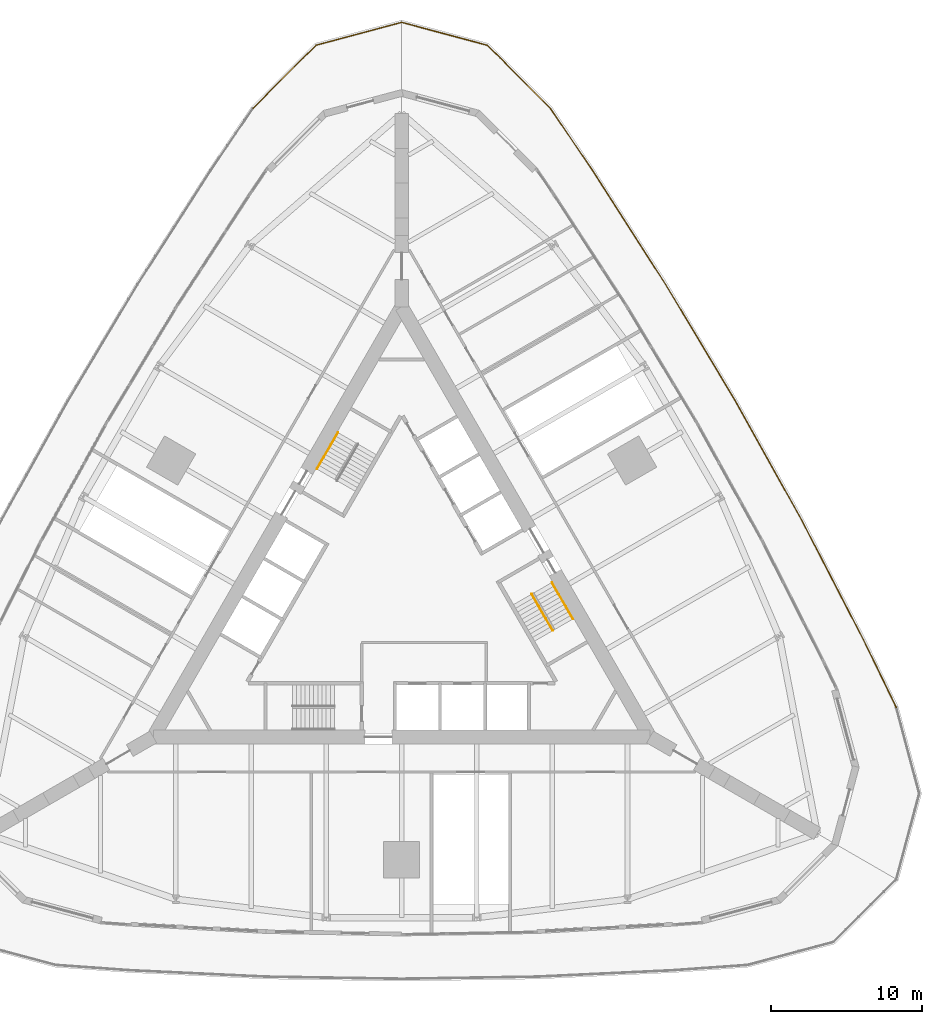
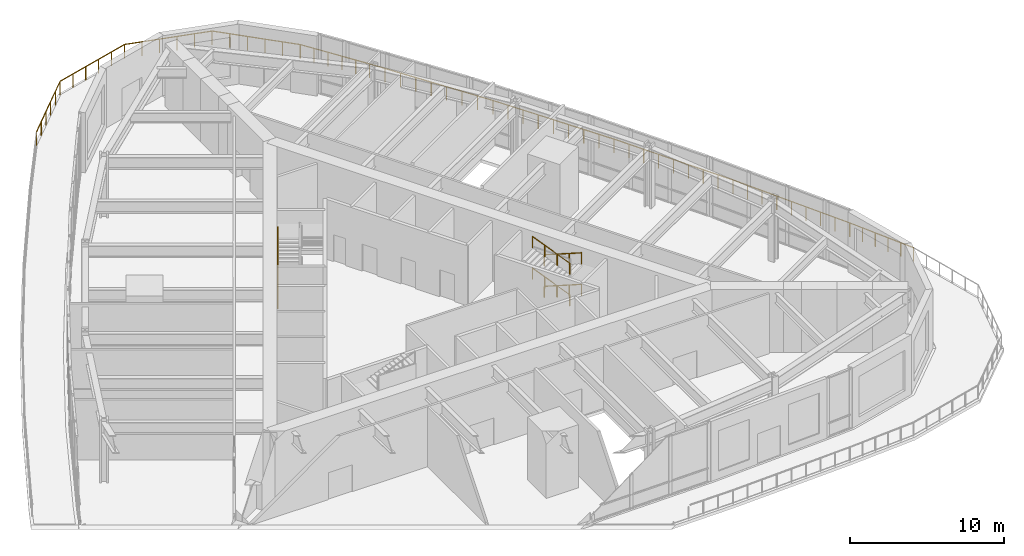
# One storey, part 13 of 13: 7 railings.
"""IFC4 building model written with IfcOpenShell, lengths in metres."""

from ifc_helpers import new_model, si_unit, direction, frame, origin, origin_2d, place, context, subcontext, project, spatial, circle, extrude, material, type_object, element, save


model = new_model("IFC4")

# Units and contexts
model_context = context("Model", 3, precision=1e-05, world=origin(), true_north=direction((0.0, 1.0)))
body_context = subcontext(model_context, "Body", "Model", "MODEL_VIEW")
ifc_project = project(units=[si_unit("LENGTHUNIT", "METRE"), si_unit("AREAUNIT", "SQUARE_METRE"), si_unit("VOLUMEUNIT", "CUBIC_METRE"), si_unit("PLANEANGLEUNIT", "RADIAN"), si_unit("MASSUNIT", "GRAM", prefix="KILO")], contexts=[model_context])

# Site, building, storey
site_placement = place(None, origin())
site = spatial("IfcSite", under=ifc_project, at=site_placement, CompositionType="ELEMENT")
building_placement = place(site_placement, origin())
building = spatial("IfcBuilding", under=site, at=building_placement, Name="Trikona Tower", CompositionType="ELEMENT")
storey_placement = place(building_placement, frame((0.0, 0.0, 17.5)))
storey = spatial("IfcBuildingStorey", under=building, at=storey_placement, Name="L03", CompositionType="ELEMENT", Elevation=17.5)

# Railings
ifc_material_1 = material(Name="Stainless steel handrail", Category="steel")
railing_type_1 = type_object("IfcRailingType", Name="Stair handrail", PredefinedType="HANDRAIL", material=ifc_material_1)
railing_1_placement = place(storey_placement, frame((9.9833984375, 0.740966796875, 0.113525390625)))
element("IfcRailing", 1, at=railing_1_placement, inside=storey, type_object=railing_type_1, Name="Stair handrail B L03 1", PredefinedType="HANDRAIL", context=body_context, shape_type="SweptSolid", body=[
    extrude(circle(Radius=0.02392578125, at=origin_2d()), frame((0.0, 0.0, 0.8759765625), z_axis=(0.463245186179, -0.802478973547, 0.376073655679), x_axis=(0.866056369097, 0.49994636267, 0.0)), (0.0, 0.0, 1.0), 3.02197265625),
    extrude(circle(Radius=0.02099609375, at=origin_2d()), origin(), (0.0, 0.0, 1.0), 0.851806640625),
    extrude(circle(Radius=0.02099609375, at=origin_2d()), frame((0.466552734375, -0.808349609375, 0.37890625)), (0.0, 0.0, 1.0), 0.851806640625),
    extrude(circle(Radius=0.02099609375, at=origin_2d()), frame((0.933349609375, -1.61669921875, 0.757568359375)), (0.0, 0.0, 1.0), 0.851806640625),
    extrude(circle(Radius=0.02099609375, at=origin_2d()), frame((1.39990234375, -2.425048828125, 1.136474609375)), (0.0, 0.0, 1.0), 0.851806640625),
])
railing_2_placement = place(storey_placement, frame((10.041015625, -2.458984375, 1.363525390625)))
element("IfcRailing", 2, at=railing_2_placement, inside=storey, type_object=railing_type_1, Name="Stair handrail B L03 2", PredefinedType="HANDRAIL", context=body_context, shape_type="SweptSolid", body=[
    extrude(circle(Radius=0.02392578125, at=origin_2d()), frame((0.0, 0.0, 0.8759765625), z_axis=(-0.463245186179, 0.802478973547, 0.376073655679), x_axis=(-0.866056369097, -0.49994636267, 0.0)), (0.0, 0.0, 1.0), 3.02197265625),
    extrude(circle(Radius=0.02099609375, at=origin_2d()), origin(), (0.0, 0.0, 1.0), 0.851806640625),
    extrude(circle(Radius=0.02099609375, at=origin_2d()), frame((-0.466552734375, 0.808349609375, 0.37890625)), (0.0, 0.0, 1.0), 0.851806640625),
    extrude(circle(Radius=0.02099609375, at=origin_2d()), frame((-0.933349609375, 1.61669921875, 0.757568359375)), (0.0, 0.0, 1.0), 0.851806640625),
    extrude(circle(Radius=0.02099609375, at=origin_2d()), frame((-1.39990234375, 2.425048828125, 1.136474609375)), (0.0, 0.0, 1.0), 0.851806640625),
])
railing_3_placement = place(storey_placement, frame((9.9833984375, 0.740966796875, 2.613525390625)))
element("IfcRailing", 3, at=railing_3_placement, inside=storey, type_object=railing_type_1, Name="Stair handrail B L03 3", PredefinedType="HANDRAIL", context=body_context, shape_type="SweptSolid", body=[
    extrude(circle(Radius=0.02392578125, at=origin_2d()), frame((0.0, 0.0, 0.8759765625), z_axis=(0.463245186179, -0.802478973547, 0.376073655679), x_axis=(0.866056369097, 0.49994636267, 0.0)), (0.0, 0.0, 1.0), 3.02197265625),
    extrude(circle(Radius=0.02099609375, at=origin_2d()), origin(), (0.0, 0.0, 1.0), 0.851806640625),
    extrude(circle(Radius=0.02099609375, at=origin_2d()), frame((0.466552734375, -0.808349609375, 0.37890625)), (0.0, 0.0, 1.0), 0.851806640625),
    extrude(circle(Radius=0.02099609375, at=origin_2d()), frame((0.933349609375, -1.61669921875, 0.757568359375)), (0.0, 0.0, 1.0), 0.851806640625),
    extrude(circle(Radius=0.02099609375, at=origin_2d()), frame((1.39990234375, -2.425048828125, 1.136474609375)), (0.0, 0.0, 1.0), 0.851806640625),
])
railing_4_placement = place(storey_placement, frame((10.041015625, -2.458984375, 3.863525390625)))
element("IfcRailing", 4, at=railing_4_placement, inside=storey, type_object=railing_type_1, Name="Stair handrail B L03 4", PredefinedType="HANDRAIL", context=body_context, shape_type="SweptSolid", body=[
    extrude(circle(Radius=0.02392578125, at=origin_2d()), frame((0.0, 0.0, 0.8759765625), z_axis=(-0.463245186179, 0.802478973547, 0.376073655679), x_axis=(-0.866056369097, -0.49994636267, 0.0)), (0.0, 0.0, 1.0), 3.02197265625),
    extrude(circle(Radius=0.02099609375, at=origin_2d()), origin(), (0.0, 0.0, 1.0), 0.851806640625),
    extrude(circle(Radius=0.02099609375, at=origin_2d()), frame((-0.466552734375, 0.808349609375, 0.37890625)), (0.0, 0.0, 1.0), 0.851806640625),
    extrude(circle(Radius=0.02099609375, at=origin_2d()), frame((-0.933349609375, 1.61669921875, 0.757568359375)), (0.0, 0.0, 1.0), 0.851806640625),
    extrude(circle(Radius=0.02099609375, at=origin_2d()), frame((-1.39990234375, 2.425048828125, 1.136474609375)), (0.0, 0.0, 1.0), 0.851806640625),
])
for number, where, name in (
    (5, (-5.63330078125, 8.275390625, 0.113525390625), "Stair handrail C L03 1"),
    (6, (-5.63330078125, 8.275390625, 2.613525390625), "Stair handrail C L03 3"),
):
    element("IfcRailing", number, at=place(storey_placement, frame(where)), inside=storey, type_object=railing_type_1, Name=name, PredefinedType="HANDRAIL", context=body_context, shape_type="SweptSolid", body=[
        extrude(circle(Radius=0.02392578125, at=origin_2d()), frame((0.0, 0.0, 0.8759765625), z_axis=(0.463275220525, 0.802450207579, 0.376098038288), x_axis=(-0.866034573852, 0.49998411664, 0.0)), (0.0, 0.0, 1.0), 3.021728515625),
        extrude(circle(Radius=0.02099609375, at=origin_2d()), origin(), (0.0, 0.0, 1.0), 0.851806640625),
        extrude(circle(Radius=0.02099609375, at=origin_2d()), frame((0.466552734375, 0.808349609375, 0.37890625)), (0.0, 0.0, 1.0), 0.851806640625),
        extrude(circle(Radius=0.02099609375, at=origin_2d()), frame((0.933349609375, 1.616455078125, 0.757568359375)), (0.0, 0.0, 1.0), 0.851806640625),
        extrude(circle(Radius=0.02099609375, at=origin_2d()), frame((1.39990234375, 2.4248046875, 1.136474609375)), (0.0, 0.0, 1.0), 0.851806640625),
    ])
ifc_material_2 = material(Name="Stainless steel guard with glass infill", Category="steel")
railing_type_2 = type_object("IfcRailingType", Name="Terrace guard 1100", PredefinedType="GUARDRAIL", material=ifc_material_2)
railing_5_placement = place(storey_placement, frame((-9.8837890625, 32.235595703125, 0.0)))
element("IfcRailing", 7, at=railing_5_placement, inside=storey, type_object=railing_type_2, Name="Terrace guard L03-2", PredefinedType="GUARDRAIL", context=body_context, shape_type="SweptSolid", body=[
    extrude(circle(Radius=0.02392578125, at=origin_2d()), frame((0.0, 0.0, 1.076171875), z_axis=(0.707106781187, 0.707106781187, 0.0), x_axis=(-0.707106781187, 0.707106781187, 0.0)), (0.0, 0.0, 1.0), 5.922607421875),
    extrude(circle(Radius=0.02392578125, at=origin_2d()), frame((4.18798828125, 4.18798828125, 1.076171875), z_axis=(0.965928462145, 0.258809207753, 0.0), x_axis=(-0.258809207753, 0.965928462145, 0.0)), (0.0, 0.0, 1.0), 5.896728515625),
    extrude(circle(Radius=0.02392578125, at=origin_2d()), frame((9.8837890625, 5.714111328125, 1.076171875), z_axis=(0.965928462145, -0.258809207753, 0.0), x_axis=(0.258809207753, 0.965928462145, 0.0)), (0.0, 0.0, 1.0), 5.896728515625),
    extrude(circle(Radius=0.02392578125, at=origin_2d()), frame((15.57958984375, 4.18798828125, 1.076171875), z_axis=(0.707106781187, -0.707106781187, 0.0), x_axis=(0.707106781187, 0.707106781187, 0.0)), (0.0, 0.0, 1.0), 5.922607421875),
    extrude(circle(Radius=0.02392578125, at=origin_2d()), frame((19.767578125, 0.0, 1.076171875), z_axis=(0.56034781863, -0.828257400907, 0.0), x_axis=(0.828257400907, 0.56034781863, 0.0)), (0.0, 0.0, 1.0), 4.99658203125),
    extrude(circle(Radius=0.02392578125, at=origin_2d()), frame((22.5673828125, -4.138427734375, 1.076171875), z_axis=(0.540057243135, -0.841628287391, 0.0), x_axis=(0.841628287391, 0.540057243135, 0.0)), (0.0, 0.0, 1.0), 9.005615234375),
    extrude(circle(Radius=0.02392578125, at=origin_2d()), frame((27.430908203125, -11.7177734375, 1.076171875), z_axis=(0.513497701225, -0.858090968858, 0.0), x_axis=(0.858090968858, 0.513497701225, 0.0)), (0.0, 0.0, 1.0), 8.996337890625),
    extrude(circle(Radius=0.02392578125, at=origin_2d()), frame((32.050537109375, -19.4375, 1.076171875), z_axis=(0.48638468416, -0.873744779106, 0.0), x_axis=(0.873744779106, 0.48638468416, 0.0)), (0.0, 0.0, 1.0), 8.996337890625),
    extrude(circle(Radius=0.02392578125, at=origin_2d()), frame((36.42626953125, -27.298095703125, 1.076171875), z_axis=(0.458843161129, -0.888517278102, 0.0), x_axis=(0.888517278102, 0.458843161129, 0.0)), (0.0, 0.0, 1.0), 9.005859375),
    extrude(circle(Radius=0.02392578125, at=origin_2d()), frame((40.55859375, -35.300048828125, 1.076171875), z_axis=(0.43711969829, -0.899403340758, 0.0), x_axis=(0.899403340758, 0.43711969829, 0.0)), (0.0, 0.0, 1.0), 4.99658203125),
    extrude(circle(Radius=0.02099609375, at=origin_2d()), origin(), (0.0, 0.0, 1.0), 1.052001953125),
    extrude(circle(Radius=0.02099609375, at=origin_2d()), frame((0.837646484375, 0.837646484375, 0.0)), (0.0, 0.0, 1.0), 1.052001953125),
    extrude(circle(Radius=0.02099609375, at=origin_2d()), frame((1.67529296875, 1.67529296875, 0.0)), (0.0, 0.0, 1.0), 1.052001953125),
    extrude(circle(Radius=0.02099609375, at=origin_2d()), frame((2.5126953125, 2.5126953125, 0.0)), (0.0, 0.0, 1.0), 1.052001953125),
    extrude(circle(Radius=0.02099609375, at=origin_2d()), frame((3.350341796875, 3.350341796875, 0.0)), (0.0, 0.0, 1.0), 1.052001953125),
    extrude(circle(Radius=0.02099609375, at=origin_2d()), frame((4.18798828125, 4.18798828125, 0.0)), (0.0, 0.0, 1.0), 1.052001953125),
    extrude(circle(Radius=0.02099609375, at=origin_2d()), frame((5.3271484375, 4.4931640625, 0.0)), (0.0, 0.0, 1.0), 1.052001953125),
    extrude(circle(Radius=0.02099609375, at=origin_2d()), frame((6.46630859375, 4.79833984375, 0.0)), (0.0, 0.0, 1.0), 1.052001953125),
    extrude(circle(Radius=0.02099609375, at=origin_2d()), frame((7.60546875, 5.103759765625, 0.0)), (0.0, 0.0, 1.0), 1.052001953125),
    extrude(circle(Radius=0.02099609375, at=origin_2d()), frame((8.74462890625, 5.408935546875, 0.0)), (0.0, 0.0, 1.0), 1.052001953125),
    extrude(circle(Radius=0.02099609375, at=origin_2d()), frame((9.8837890625, 5.714111328125, 0.0)), (0.0, 0.0, 1.0), 1.052001953125),
    extrude(circle(Radius=0.02099609375, at=origin_2d()), frame((11.02294921875, 5.408935546875, 0.0)), (0.0, 0.0, 1.0), 1.052001953125),
    extrude(circle(Radius=0.02099609375, at=origin_2d()), frame((12.162109375, 5.103759765625, 0.0)), (0.0, 0.0, 1.0), 1.052001953125),
    extrude(circle(Radius=0.02099609375, at=origin_2d()), frame((13.30126953125, 4.79833984375, 0.0)), (0.0, 0.0, 1.0), 1.052001953125),
    extrude(circle(Radius=0.02099609375, at=origin_2d()), frame((14.4404296875, 4.4931640625, 0.0)), (0.0, 0.0, 1.0), 1.052001953125),
    extrude(circle(Radius=0.02099609375, at=origin_2d()), frame((15.57958984375, 4.18798828125, 0.0)), (0.0, 0.0, 1.0), 1.052001953125),
    extrude(circle(Radius=0.02099609375, at=origin_2d()), frame((16.417236328125, 3.350341796875, 0.0)), (0.0, 0.0, 1.0), 1.052001953125),
    extrude(circle(Radius=0.02099609375, at=origin_2d()), frame((17.2548828125, 2.5126953125, 0.0)), (0.0, 0.0, 1.0), 1.052001953125),
    extrude(circle(Radius=0.02099609375, at=origin_2d()), frame((18.09228515625, 1.67529296875, 0.0)), (0.0, 0.0, 1.0), 1.052001953125),
    extrude(circle(Radius=0.02099609375, at=origin_2d()), frame((18.929931640625, 0.837646484375, 0.0)), (0.0, 0.0, 1.0), 1.052001953125),
    extrude(circle(Radius=0.02099609375, at=origin_2d()), frame((19.767578125, 0.0, 0.0)), (0.0, 0.0, 1.0), 1.052001953125),
    extrude(circle(Radius=0.02099609375, at=origin_2d()), frame((20.32763671875, -0.82763671875, 0.0)), (0.0, 0.0, 1.0), 1.052001953125),
    extrude(circle(Radius=0.02099609375, at=origin_2d()), frame((20.887451171875, -1.6552734375, 0.0)), (0.0, 0.0, 1.0), 1.052001953125),
    extrude(circle(Radius=0.02099609375, at=origin_2d()), frame((21.447509765625, -2.483154296875, 0.0)), (0.0, 0.0, 1.0), 1.052001953125),
    extrude(circle(Radius=0.02099609375, at=origin_2d()), frame((22.00732421875, -3.310791015625, 0.0)), (0.0, 0.0, 1.0), 1.052001953125),
    extrude(circle(Radius=0.02099609375, at=origin_2d()), frame((22.5673828125, -4.138427734375, 0.0)), (0.0, 0.0, 1.0), 1.052001953125),
    extrude(circle(Radius=0.02099609375, at=origin_2d()), frame((23.17529296875, -5.0859375, 0.0)), (0.0, 0.0, 1.0), 1.052001953125),
    extrude(circle(Radius=0.02099609375, at=origin_2d()), frame((23.783203125, -6.033203125, 0.0)), (0.0, 0.0, 1.0), 1.052001953125),
    extrude(circle(Radius=0.02099609375, at=origin_2d()), frame((24.39111328125, -6.980712890625, 0.0)), (0.0, 0.0, 1.0), 1.052001953125),
    extrude(circle(Radius=0.02099609375, at=origin_2d()), frame((24.9990234375, -7.92822265625, 0.0)), (0.0, 0.0, 1.0), 1.052001953125),
    extrude(circle(Radius=0.02099609375, at=origin_2d()), frame((25.607177734375, -8.87548828125, 0.0)), (0.0, 0.0, 1.0), 1.052001953125),
    extrude(circle(Radius=0.02099609375, at=origin_2d()), frame((26.215087890625, -9.822998046875, 0.0)), (0.0, 0.0, 1.0), 1.052001953125),
    extrude(circle(Radius=0.02099609375, at=origin_2d()), frame((26.822998046875, -10.770263671875, 0.0)), (0.0, 0.0, 1.0), 1.052001953125),
    extrude(circle(Radius=0.02099609375, at=origin_2d()), frame((27.430908203125, -11.7177734375, 0.0)), (0.0, 0.0, 1.0), 1.052001953125),
    extrude(circle(Radius=0.02099609375, at=origin_2d()), frame((28.00830078125, -12.6826171875, 0.0)), (0.0, 0.0, 1.0), 1.052001953125),
    extrude(circle(Radius=0.02099609375, at=origin_2d()), frame((28.5859375, -13.647705078125, 0.0)), (0.0, 0.0, 1.0), 1.052001953125),
    extrude(circle(Radius=0.02099609375, at=origin_2d()), frame((29.163330078125, -14.61279296875, 0.0)), (0.0, 0.0, 1.0), 1.052001953125),
    extrude(circle(Radius=0.02099609375, at=origin_2d()), frame((29.74072265625, -15.57763671875, 0.0)), (0.0, 0.0, 1.0), 1.052001953125),
    extrude(circle(Radius=0.02099609375, at=origin_2d()), frame((30.318115234375, -16.54248046875, 0.0)), (0.0, 0.0, 1.0), 1.052001953125),
    extrude(circle(Radius=0.02099609375, at=origin_2d()), frame((30.8955078125, -17.507568359375, 0.0)), (0.0, 0.0, 1.0), 1.052001953125),
    extrude(circle(Radius=0.02099609375, at=origin_2d()), frame((31.47314453125, -18.47265625, 0.0)), (0.0, 0.0, 1.0), 1.052001953125),
    extrude(circle(Radius=0.02099609375, at=origin_2d()), frame((32.050537109375, -19.4375, 0.0)), (0.0, 0.0, 1.0), 1.052001953125),
    extrude(circle(Radius=0.02099609375, at=origin_2d()), frame((32.597412109375, -20.420166015625, 0.0)), (0.0, 0.0, 1.0), 1.052001953125),
    extrude(circle(Radius=0.02099609375, at=origin_2d()), frame((33.14453125, -21.402587890625, 0.0)), (0.0, 0.0, 1.0), 1.052001953125),
    extrude(circle(Radius=0.02099609375, at=origin_2d()), frame((33.69140625, -22.38525390625, 0.0)), (0.0, 0.0, 1.0), 1.052001953125),
    extrude(circle(Radius=0.02099609375, at=origin_2d()), frame((34.23828125, -23.36767578125, 0.0)), (0.0, 0.0, 1.0), 1.052001953125),
    extrude(circle(Radius=0.02099609375, at=origin_2d()), frame((34.785400390625, -24.350341796875, 0.0)), (0.0, 0.0, 1.0), 1.052001953125),
    extrude(circle(Radius=0.02099609375, at=origin_2d()), frame((35.332275390625, -25.3330078125, 0.0)), (0.0, 0.0, 1.0), 1.052001953125),
    extrude(circle(Radius=0.02099609375, at=origin_2d()), frame((35.87939453125, -26.3154296875, 0.0)), (0.0, 0.0, 1.0), 1.052001953125),
    extrude(circle(Radius=0.02099609375, at=origin_2d()), frame((36.42626953125, -27.298095703125, 0.0)), (0.0, 0.0, 1.0), 1.052001953125),
    extrude(circle(Radius=0.02099609375, at=origin_2d()), frame((36.94287109375, -28.29833984375, 0.0)), (0.0, 0.0, 1.0), 1.052001953125),
    extrude(circle(Radius=0.02099609375, at=origin_2d()), frame((37.45947265625, -29.298583984375, 0.0)), (0.0, 0.0, 1.0), 1.052001953125),
    extrude(circle(Radius=0.02099609375, at=origin_2d()), frame((37.975830078125, -30.298828125, 0.0)), (0.0, 0.0, 1.0), 1.052001953125),
    extrude(circle(Radius=0.02099609375, at=origin_2d()), frame((38.492431640625, -31.299072265625, 0.0)), (0.0, 0.0, 1.0), 1.052001953125),
    extrude(circle(Radius=0.02099609375, at=origin_2d()), frame((39.009033203125, -32.29931640625, 0.0)), (0.0, 0.0, 1.0), 1.052001953125),
    extrude(circle(Radius=0.02099609375, at=origin_2d()), frame((39.525390625, -33.299560546875, 0.0)), (0.0, 0.0, 1.0), 1.052001953125),
    extrude(circle(Radius=0.02099609375, at=origin_2d()), frame((40.0419921875, -34.2998046875, 0.0)), (0.0, 0.0, 1.0), 1.052001953125),
    extrude(circle(Radius=0.02099609375, at=origin_2d()), frame((40.55859375, -35.300048828125, 0.0)), (0.0, 0.0, 1.0), 1.052001953125),
    extrude(circle(Radius=0.02099609375, at=origin_2d()), frame((40.995361328125, -36.19873046875, 0.0)), (0.0, 0.0, 1.0), 1.052001953125),
    extrude(circle(Radius=0.02099609375, at=origin_2d()), frame((41.43212890625, -37.09765625, 0.0)), (0.0, 0.0, 1.0), 1.052001953125),
    extrude(circle(Radius=0.02099609375, at=origin_2d()), frame((41.869140625, -37.996337890625, 0.0)), (0.0, 0.0, 1.0), 1.052001953125),
    extrude(circle(Radius=0.02099609375, at=origin_2d()), frame((42.305908203125, -38.895263671875, 0.0)), (0.0, 0.0, 1.0), 1.052001953125),
    extrude(circle(Radius=0.02099609375, at=origin_2d()), frame((42.74267578125, -39.7939453125, 0.0)), (0.0, 0.0, 1.0), 1.052001953125),
])

save(model, "model.ifc")
